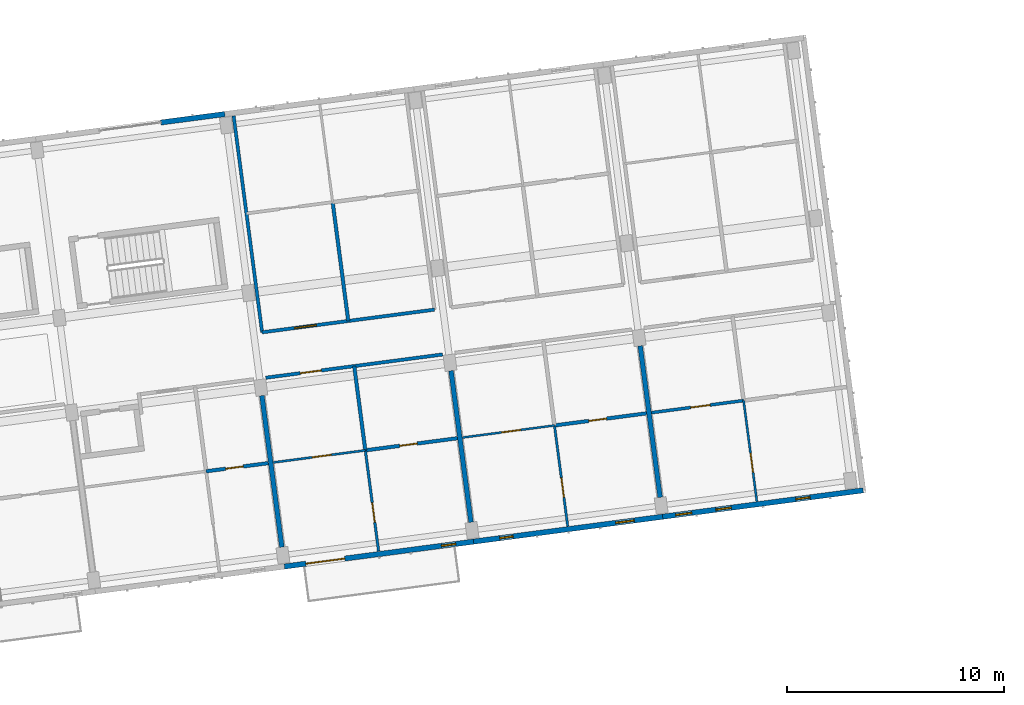
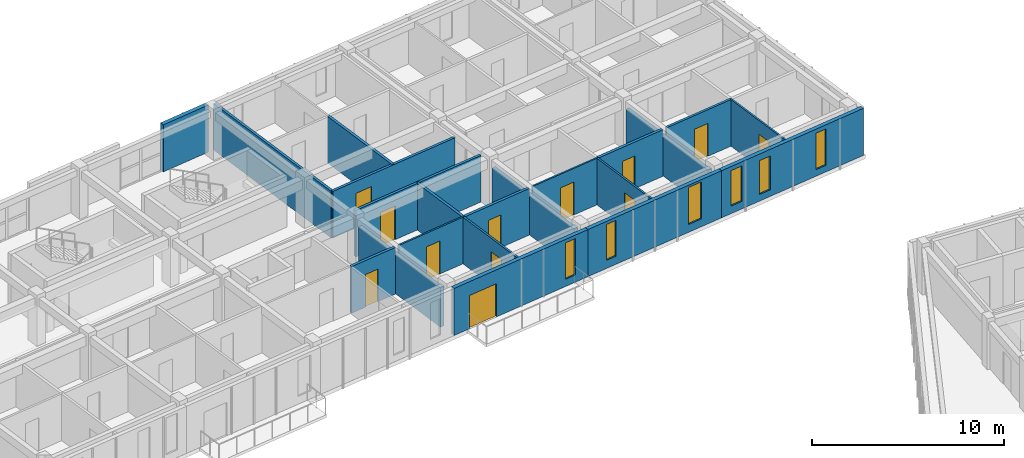
# One storey, part 23 of 64: 21 walls, 12 doors, 6 windows, 18 openings.
"""IFC4 building model written with IfcOpenShell, lengths in metres."""

from ifc_helpers import new_model, si_unit, direction, frame, frame_2d, origin, place, context, subcontext, project, spatial, rectangle, extrude, material, layer, layer_set, type_object, element, fill, save


model = new_model("IFC4")

# Units and contexts
model_context = context("Model", 3, precision=1e-05, world=origin(), true_north=direction((0.0, 1.0)))
body_context = subcontext(model_context, "Body", "Model", "MODEL_VIEW")
ifc_project = project(units=[si_unit("LENGTHUNIT", "METRE"), si_unit("AREAUNIT", "SQUARE_METRE"), si_unit("VOLUMEUNIT", "CUBIC_METRE"), si_unit("PLANEANGLEUNIT", "RADIAN"), si_unit("MASSUNIT", "GRAM", prefix="KILO")], contexts=[model_context])

# Site, building, storey
site_placement = place(None, origin())
site = spatial("IfcSite", under=ifc_project, at=site_placement, CompositionType="ELEMENT")
building_placement = place(site_placement, origin())
building = spatial("IfcBuilding", under=site, at=building_placement, Name="Kestramere Prow Commons", CompositionType="ELEMENT")
storey_placement = place(building_placement, frame((0.0, 0.0, 24.64990234375)))
storey = spatial("IfcBuildingStorey", under=building, at=storey_placement, Name="L07", CompositionType="ELEMENT", Elevation=24.64990234375)

# Wall, openings, door, window
ifc_material_1 = material(Name="Fluoropolymer Standing-Seam Zinc-Aluminium Cladding", Category="aluminium")
ifc_layer_1 = layer(ifc_material_1, 0.239990234375)
ifc_layer_set_1 = layer_set([ifc_layer_1], Name="Fluoropolymer Standing-Seam Zinc-Aluminium Cladding")
wall_type_1 = type_object("IfcWallType", Name="EW-SEAM-240", PredefinedType="SOLIDWALL", material=ifc_layer_set_1)
wall_1_placement = place(storey_placement, frame((46.16748046875, 76.073974609375, 0.0), z_axis=(0.0, 0.0, 1.0), x_axis=(-0.991444377792, -0.130529865336, 0.0)))
wall_1 = element("IfcWall", 1, at=wall_1_placement, inside=storey, type_object=wall_type_1, Name="Block A L07 South Standing-Seam Wall 4", PredefinedType="SOLIDWALL", context=body_context, shape_type="SweptSolid", body=[
    extrude(rectangle(XDim=8.800048828125, YDim=0.239990234375, at=frame_2d((4.39990234375, 0.0))), origin(), (0.0, 0.0, 1.0), 3.0),
])
opening_1_placement = place(wall_1_placement, frame((5.9970703125, 0.0, 0.0)))
opening_1 = element("IfcOpeningElement", 2, at=opening_1_placement, cuts=wall_1, Name="Opening GD-BAL-02", PredefinedType="OPENING", context=body_context, shape_type="SweptSolid", body=[
    extrude(rectangle(XDim=1.800048828125, YDim=2.1201171875, at=frame_2d((0.89990234375, 1.06005859375))), frame((0.0, 0.135009765625, 0.0), z_axis=(0.0, -1.0, 0.0), x_axis=(1.0, 0.0, 0.0)), (0.0, 0.0, 1.0), 0.27001953125),
])
opening_2_placement = place(wall_1_placement, frame((0.830078125, 0.0, 0.4599609375)))
opening_2 = element("IfcOpeningElement", 3, at=opening_2_placement, cuts=wall_1, Name="Opening WN-05", PredefinedType="OPENING", context=body_context, shape_type="SweptSolid", body=[
    extrude(rectangle(XDim=0.659912109375, YDim=2.320068359375, at=frame_2d((0.330078125, 1.16015625))), frame((0.0, 0.135009765625, 0.0), z_axis=(0.0, -1.0, 0.0), x_axis=(1.0, 0.0, 0.0)), (0.0, 0.0, 1.0), 0.27001953125),
])
ifc_material_2 = material(Name="Thermally-Broken Anodised Aluminium Glazed", Category="aluminium")
door_type_1 = type_object("IfcDoorType", Name="GD-BAL-1800", OperationType="SLIDING_TO_LEFT", PredefinedType="DOOR", material=ifc_material_2)
door_1_placement = place(opening_1_placement, origin())
door_1 = element("IfcDoor", 4, at=door_1_placement, inside=storey, type_object=door_type_1, Name="Block A L07 Balcony Door 4", OperationType="SLIDING_TO_LEFT", OverallHeight=2.1201171875, OverallWidth=1.800048828125, PredefinedType="DOOR", context=body_context, shape_type="SweptSolid", body=[
    extrude(rectangle(XDim=1.800048828125, YDim=2.1201171875, at=frame_2d((0.89990234375, 1.06005859375))), frame((0.0, 0.02490234375, 0.0), z_axis=(0.0, -1.0, 0.0), x_axis=(1.0, 0.0, 0.0)), (0.0, 0.0, 1.0), 0.050048828125),
])
fill(opening_1, door_1)
ifc_material_3 = material(Name="Low-E Laminated Double Glazing", Category="glass")
window_type_1 = type_object("IfcWindowType", Name="WN-NAR-660A", PartitioningType="SINGLE_PANEL", PredefinedType="WINDOW", material=ifc_material_3)
window_1_placement = place(opening_2_placement, origin())
window_1 = element("IfcWindow", 5, at=window_1_placement, inside=storey, type_object=window_type_1, Name="WN-A-L07-SR-3", OverallHeight=2.320068359375, OverallWidth=0.659912109375, PartitioningType="SINGLE_PANEL", PredefinedType="WINDOW", context=body_context, shape_type="SweptSolid", body=[
    extrude(rectangle(XDim=0.659912109375, YDim=2.320068359375, at=frame_2d((0.330078125, 1.16015625))), frame((0.0, 0.030029296875, 0.0), z_axis=(0.0, -1.0, 0.0), x_axis=(1.0, 0.0, 0.0)), (0.0, 0.0, 1.0), 0.06005859375),
])
fill(opening_2, window_1)

# Wall, openings, windows
wall_2_placement = place(storey_placement, frame((54.89208984375, 77.22265625, 0.0), z_axis=(0.0, 0.0, 1.0), x_axis=(-0.991443905089, -0.130533455715, 0.0)))
wall_2 = element("IfcWall", 6, at=wall_2_placement, inside=storey, type_object=wall_type_1, Name="Block A L07 South Standing-Seam Wall 5", PredefinedType="SOLIDWALL", context=body_context, shape_type="SweptSolid", body=[
    extrude(rectangle(XDim=8.7998046875, YDim=0.239990234375, at=frame_2d((4.39990234375, 0.0))), origin(), (0.0, 0.0, 1.0), 3.0),
])
opening_3_placement = place(wall_2_placement, frame((1.3251953125, 0.0, 0.5)))
opening_3 = element("IfcOpeningElement", 7, at=opening_3_placement, cuts=wall_2, Name="Opening WN-15", PredefinedType="OPENING", context=body_context, shape_type="SweptSolid", body=[
    extrude(rectangle(XDim=0.860107421875, YDim=2.360107421875, at=frame_2d((0.43017578125, 1.18017578125))), frame((0.0, 0.135009765625, 0.0), z_axis=(0.0, -1.0, 0.0), x_axis=(1.0, 0.0, 0.0)), (0.0, 0.0, 1.0), 0.27001953125),
])
opening_4_placement = place(wall_2_placement, frame((6.96240234375, 0.0, 0.52001953125)))
opening_4 = element("IfcOpeningElement", 8, at=opening_4_placement, cuts=wall_2, Name="Opening WN-03", PredefinedType="OPENING", context=body_context, shape_type="SweptSolid", body=[
    extrude(rectangle(XDim=0.6201171875, YDim=2.280029296875, at=frame_2d((0.31005859375, 1.14013671875))), frame((0.0, 0.135009765625, 0.0), z_axis=(0.0, -1.0, 0.0), x_axis=(1.0, 0.0, 0.0)), (0.0, 0.0, 1.0), 0.27001953125),
])
window_type_2 = type_object("IfcWindowType", Name="WN-NAR-620A", PartitioningType="SINGLE_PANEL", PredefinedType="WINDOW", material=ifc_material_3)
window_2_placement = place(opening_4_placement, origin())
window_2 = element("IfcWindow", 9, at=window_2_placement, inside=storey, type_object=window_type_2, Name="WN-A-L07-S-4-10", OverallHeight=2.280029296875, OverallWidth=0.6201171875, PartitioningType="SINGLE_PANEL", PredefinedType="WINDOW", context=body_context, shape_type="SweptSolid", body=[
    extrude(rectangle(XDim=0.6201171875, YDim=2.280029296875, at=frame_2d((0.31005859375, 1.14013671875))), frame((0.0, 0.030029296875, 0.0), z_axis=(0.0, -1.0, 0.0), x_axis=(1.0, 0.0, 0.0)), (0.0, 0.0, 1.0), 0.06005859375),
])
fill(opening_4, window_2)
window_type_3 = type_object("IfcWindowType", Name="WN-NAR-860A", PartitioningType="DOUBLE_PANEL_VERTICAL", PredefinedType="WINDOW", material=ifc_material_3)
window_3_placement = place(opening_3_placement, origin())
window_3 = element("IfcWindow", 10, at=window_3_placement, inside=storey, type_object=window_type_3, Name="WN-A-L07-S-4-00", OverallHeight=2.360107421875, OverallWidth=0.860107421875, PartitioningType="SINGLE_PANEL", PredefinedType="WINDOW", context=body_context, shape_type="SweptSolid", body=[
    extrude(rectangle(XDim=0.860107421875, YDim=2.360107421875, at=frame_2d((0.43017578125, 1.18017578125))), frame((0.0, 0.030029296875, 0.0), z_axis=(0.0, -1.0, 0.0), x_axis=(1.0, 0.0, 0.0)), (0.0, 0.0, 1.0), 0.06005859375),
])
fill(opening_3, window_3)

wall_3_placement = place(storey_placement, frame((64.13720703125, 78.439697265625, 0.0), z_axis=(0.0, 0.0, 1.0), x_axis=(-0.991446273426, -0.130515466173, 0.0)))
wall_3 = element("IfcWall", 11, at=wall_3_placement, inside=storey, type_object=wall_type_1, Name="Block A L07 South Standing-Seam Wall 6", PredefinedType="SOLIDWALL", context=body_context, shape_type="SweptSolid", body=[
    extrude(rectangle(XDim=9.324951171875, YDim=0.239990234375, at=frame_2d((4.66259765625, 0.0))), origin(), (0.0, 0.0, 1.0), 3.0),
])
opening_5_placement = place(wall_3_placement, frame((2.46630859375, 0.0, 0.419921875)))
opening_5 = element("IfcOpeningElement", 12, at=opening_5_placement, cuts=wall_3, Name="Opening WN-05", PredefinedType="OPENING", context=body_context, shape_type="SweptSolid", body=[
    extrude(rectangle(XDim=0.659912109375, YDim=2.320068359375, at=frame_2d((0.330078125, 1.16015625))), frame((0.0, 0.135009765625, 0.0), z_axis=(0.0, -1.0, 0.0), x_axis=(1.0, 0.0, 0.0)), (0.0, 0.0, 1.0), 0.27001953125),
])
opening_6_placement = place(wall_3_placement, frame((6.12890625, 0.0, 0.419921875)))
opening_6 = element("IfcOpeningElement", 13, at=opening_6_placement, cuts=wall_3, Name="Opening WN-08", PredefinedType="OPENING", context=body_context, shape_type="SweptSolid", body=[
    extrude(rectangle(XDim=0.719970703125, YDim=2.159912109375, at=frame_2d((0.35986328125, 1.080078125))), frame((0.0, 0.135009765625, 0.0), z_axis=(0.0, -1.0, 0.0), x_axis=(1.0, 0.0, 0.0)), (0.0, 0.0, 1.0), 0.27001953125),
])
opening_7_placement = place(wall_3_placement, frame((7.97509765625, 0.0, 0.47998046875)))
opening_7 = element("IfcOpeningElement", 14, at=opening_7_placement, cuts=wall_3, Name="Opening WN-09", PredefinedType="OPENING", context=body_context, shape_type="SweptSolid", body=[
    extrude(rectangle(XDim=0.739990234375, YDim=2.260009765625, at=frame_2d((0.3701171875, 1.1298828125))), frame((0.0, 0.135009765625, 0.0), z_axis=(0.0, -1.0, 0.0), x_axis=(1.0, 0.0, 0.0)), (0.0, 0.0, 1.0), 0.27001953125),
])
window_4_placement = place(opening_5_placement, origin())
window_4 = element("IfcWindow", 15, at=window_4_placement, inside=storey, type_object=window_type_1, Name="WN-A-L07-S-5-00", OverallHeight=2.320068359375, OverallWidth=0.659912109375, PartitioningType="SINGLE_PANEL", PredefinedType="WINDOW", context=body_context, shape_type="SweptSolid", body=[
    extrude(rectangle(XDim=0.659912109375, YDim=2.320068359375, at=frame_2d((0.330078125, 1.16015625))), frame((0.0, 0.030029296875, 0.0), z_axis=(0.0, -1.0, 0.0), x_axis=(1.0, 0.0, 0.0)), (0.0, 0.0, 1.0), 0.06005859375),
])
fill(opening_5, window_4)
window_type_4 = type_object("IfcWindowType", Name="WN-NAR-720A", PartitioningType="SINGLE_PANEL", PredefinedType="WINDOW", material=ifc_material_3)
window_5_placement = place(opening_6_placement, origin())
window_5 = element("IfcWindow", 16, at=window_5_placement, inside=storey, type_object=window_type_4, Name="WN-A-L07-S-5-10", OverallHeight=2.159912109375, OverallWidth=0.719970703125, PartitioningType="SINGLE_PANEL", PredefinedType="WINDOW", context=body_context, shape_type="SweptSolid", body=[
    extrude(rectangle(XDim=0.719970703125, YDim=2.159912109375, at=frame_2d((0.35986328125, 1.080078125))), frame((0.0, 0.030029296875, 0.0), z_axis=(0.0, -1.0, 0.0), x_axis=(1.0, 0.0, 0.0)), (0.0, 0.0, 1.0), 0.06005859375),
])
fill(opening_6, window_5)
window_type_5 = type_object("IfcWindowType", Name="WN-NAR-740A", PartitioningType="SINGLE_PANEL", PredefinedType="WINDOW", material=ifc_material_3)
window_6_placement = place(opening_7_placement, origin())
window_6 = element("IfcWindow", 17, at=window_6_placement, inside=storey, type_object=window_type_5, Name="WN-A-L07-S-5-11", OverallHeight=2.260009765625, OverallWidth=0.739990234375, PartitioningType="SINGLE_PANEL", PredefinedType="WINDOW", context=body_context, shape_type="SweptSolid", body=[
    extrude(rectangle(XDim=0.739990234375, YDim=2.260009765625, at=frame_2d((0.3701171875, 1.1298828125))), frame((0.0, 0.030029296875, 0.0), z_axis=(0.0, -1.0, 0.0), x_axis=(1.0, 0.0, 0.0)), (0.0, 0.0, 1.0), 0.06005859375),
])
fill(opening_7, window_6)

# Wall
wall_4_placement = place(storey_placement, frame((31.74560546875, 95.406982421875, 0.0), z_axis=(0.0, 0.0, 1.0), x_axis=(0.991439484875, 0.130567024289, 0.0)))
element("IfcWall", 18, at=wall_4_placement, inside=storey, type_object=wall_type_1, Name="Block A L07 North Standing-Seam Pier 3R", PredefinedType="SOLIDWALL", context=body_context, shape_type="SweptSolid", body=[
    extrude(rectangle(XDim=2.974853515625, YDim=0.239990234375, at=frame_2d((1.4873046875, 0.0))), origin(), (0.0, 0.0, 1.0), 3.0),
])

# Wall, opening, door
ifc_material_4 = material(Name="Fire-Rated Calcium Silicate Wall")
ifc_layer_2 = layer(ifc_material_4, 0.155029296875)
ifc_layer_set_2 = layer_set([ifc_layer_2], Name="Fire-Rated Calcium Silicate Wall")
wall_type_2 = type_object("IfcWallType", Name="W-FIRE-150", PredefinedType="PARTITIONING", material=ifc_layer_set_2)
wall_5_placement = place(storey_placement, frame((36.583740234375, 83.6328125, 0.0), z_axis=(0.0, 0.0, 1.0), x_axis=(0.991445206002, 0.130523574484, 0.0)))
wall_5 = element("IfcWall", 19, at=wall_5_placement, inside=storey, type_object=wall_type_2, Name="Interior Partition PW-A-L07-CS-3", PredefinedType="PARTITIONING", context=body_context, shape_type="SweptSolid", body=[
    extrude(rectangle(XDim=8.22998046875, YDim=0.155029296875, at=frame_2d((4.114990234375, 0.0))), origin(), (0.0, 0.0, 1.0), 2.97021484375),
])
opening_8_placement = place(wall_5_placement, frame((1.60498046875, 0.0, 0.0)))
opening_8 = element("IfcOpeningElement", 20, at=opening_8_placement, cuts=wall_5, Name="Opening ID-04", PredefinedType="OPENING", context=body_context, shape_type="SweptSolid", body=[
    extrude(rectangle(XDim=0.97998046875, YDim=2.14990234375, at=frame_2d((0.489990234375, 1.074951171875))), frame((0.0, 0.092529296875, 0.0), z_axis=(0.0, -1.0, 0.0), x_axis=(1.0, 0.0, 0.0)), (0.0, 0.0, 1.0), 0.18505859375),
])
ifc_material_5 = material(Name="Hardwood Fire-Rated Flat Entrance Door", Category="wood")
door_type_2 = type_object("IfcDoorType", Name="FD-ENT-01", OperationType="NOTDEFINED", PredefinedType="DOOR", material=ifc_material_5)
door_2_placement = place(opening_8_placement, origin())
door_2 = element("IfcDoor", 21, at=door_2_placement, inside=storey, type_object=door_type_2, Name="Interior Door DR-A-L07-ENT-S3", OperationType="SINGLE_SWING_LEFT", OverallHeight=2.14990234375, OverallWidth=0.97998046875, PredefinedType="DOOR", context=body_context, shape_type="SweptSolid", body=[
    extrude(rectangle(XDim=0.97998046875, YDim=2.14990234375, at=frame_2d((0.489990234375, 1.074951171875))), frame((0.0, 0.02490234375, 0.0), z_axis=(0.0, -1.0, 0.0), x_axis=(1.0, 0.0, 0.0)), (0.0, 0.0, 1.0), 0.050048828125),
])
fill(opening_8, door_2)

wall_6_placement = place(storey_placement, frame((36.413818359375, 85.728515625, 0.0), z_axis=(0.0, 0.0, 1.0), x_axis=(0.991444034844, 0.130532470184, 0.0)))
wall_6 = element("IfcWall", 22, at=wall_6_placement, inside=storey, type_object=wall_type_2, Name="Interior Partition PW-A-L07-CN-3", PredefinedType="PARTITIONING", context=body_context, shape_type="SweptSolid", body=[
    extrude(rectangle(XDim=8.02001953125, YDim=0.155029296875, at=frame_2d((4.010009765625, 0.0))), origin(), (0.0, 0.0, 1.0), 2.97021484375),
])
opening_9_placement = place(wall_6_placement, frame((1.5048828125, 0.0, 0.0)))
opening_9 = element("IfcOpeningElement", 23, at=opening_9_placement, cuts=wall_6, Name="Opening ID-05", PredefinedType="OPENING", context=body_context, shape_type="SweptSolid", body=[
    extrude(rectangle(XDim=1.02001953125, YDim=2.199951171875, at=frame_2d((0.510009765625, 1.10009765625))), frame((0.0, 0.092529296875, 0.0), z_axis=(0.0, -1.0, 0.0), x_axis=(1.0, 0.0, 0.0)), (0.0, 0.0, 1.0), 0.18505859375),
])
door_type_3 = type_object("IfcDoorType", Name="FD-ENT-02", OperationType="NOTDEFINED", PredefinedType="DOOR", material=ifc_material_5)
door_3_placement = place(opening_9_placement, origin())
door_3 = element("IfcDoor", 24, at=door_3_placement, inside=storey, type_object=door_type_3, Name="Interior Door DR-A-L07-ENT-N3", OperationType="SINGLE_SWING_RIGHT", OverallHeight=2.199951171875, OverallWidth=1.02001953125, PredefinedType="DOOR", context=body_context, shape_type="SweptSolid", body=[
    extrude(rectangle(XDim=1.02001953125, YDim=2.199951171875, at=frame_2d((0.510009765625, 1.10009765625))), frame((0.0, 0.02490234375, 0.0), z_axis=(0.0, -1.0, 0.0), x_axis=(1.0, 0.0, 0.0)), (0.0, 0.0, 1.0), 0.050048828125),
])
fill(opening_9, door_3)

ifc_material_6 = material(Name="Gypsum Acoustic Drywall")
ifc_layer_3 = layer(ifc_material_6, 0.10009765625)
ifc_layer_set_3 = layer_set([ifc_layer_3], Name="Gypsum Acoustic Drywall")
wall_type_3 = type_object("IfcWallType", Name="W-PART-100", PredefinedType="PARTITIONING", material=ifc_layer_set_3)
wall_7_placement = place(storey_placement, frame((36.927001953125, 79.72412109375, 0.0), z_axis=(0.0, 0.0, 1.0), x_axis=(0.991444014242, 0.130532626667, 0.0)))
wall_7 = element("IfcWall", 25, at=wall_7_placement, inside=storey, type_object=wall_type_3, Name="Interior Partition PW-A-L07-MIDS1-3", PredefinedType="PARTITIONING", context=body_context, shape_type="SweptSolid", body=[
    extrude(rectangle(XDim=4.284912109375, YDim=0.10009765625, at=frame_2d((2.142578125, 0.0))), origin(), (0.0, 0.0, 1.0), 2.97021484375),
])
opening_10_placement = place(wall_7_placement, frame((1.824951171875, 0.0, 0.0)))
opening_10 = element("IfcOpeningElement", 26, at=opening_10_placement, cuts=wall_7, Name="Opening ID-10", PredefinedType="OPENING", context=body_context, shape_type="SweptSolid", body=[
    extrude(rectangle(XDim=0.8798828125, YDim=2.10009765625, at=frame_2d((0.43994140625, 1.050048828125))), frame((0.0, 0.06494140625, 0.0), z_axis=(0.0, -1.0, 0.0), x_axis=(1.0, 0.0, 0.0)), (0.0, 0.0, 1.0), 0.130126953125),
])
ifc_material_7 = material(Name="Engineered Timber Bedroom Door", Category="wood")
door_type_4 = type_object("IfcDoorType", Name="D-RM-03", OperationType="NOTDEFINED", PredefinedType="DOOR", material=ifc_material_7)
door_4_placement = place(opening_10_placement, origin())
door_4 = element("IfcDoor", 27, at=door_4_placement, inside=storey, type_object=door_type_4, Name="Interior Door DR-A-L07-KL-S3", OperationType="SINGLE_SWING_RIGHT", OverallHeight=2.10009765625, OverallWidth=0.8798828125, PredefinedType="DOOR", context=body_context, shape_type="SweptSolid", body=[
    extrude(rectangle(XDim=0.8798828125, YDim=2.10009765625, at=frame_2d((0.43994140625, 1.050048828125))), frame((0.0, 0.02490234375, 0.0), z_axis=(0.0, -1.0, 0.0), x_axis=(1.0, 0.0, 0.0)), (0.0, 0.0, 1.0), 0.050048828125),
])
fill(opening_10, door_4)

wall_8_placement = place(storey_placement, frame((59.23681640625, 77.930908203125, 0.0), z_axis=(0.0, 0.0, 1.0), x_axis=(-0.13050972446, 0.991447029256, 0.0)))
wall_8 = element("IfcWall", 28, at=wall_8_placement, inside=storey, type_object=wall_type_3, Name="Interior Partition PW-A-L07-LB-S5", PredefinedType="PARTITIONING", context=body_context, shape_type="SweptSolid", body=[
    extrude(rectangle(XDim=4.689697265625, YDim=0.10009765625, at=frame_2d((2.3447265625, 0.0))), origin(), (0.0, 0.0, 1.0), 2.97021484375),
])
opening_11_placement = place(wall_8_placement, frame((1.35009765625, 0.0, 0.0)))
opening_11 = element("IfcOpeningElement", 29, at=opening_11_placement, cuts=wall_8, Name="Opening ID-10", PredefinedType="OPENING", context=body_context, shape_type="SweptSolid", body=[
    extrude(rectangle(XDim=0.8798828125, YDim=2.10009765625, at=frame_2d((0.43994140625, 1.050048828125))), frame((0.0, 0.06494140625, 0.0), z_axis=(0.0, -1.0, 0.0), x_axis=(1.0, 0.0, 0.0)), (0.0, 0.0, 1.0), 0.130126953125),
])
door_5_placement = place(opening_11_placement, origin())
door_5 = element("IfcDoor", 30, at=door_5_placement, inside=storey, type_object=door_type_4, Name="Interior Door DR-A-L07-BED-S5", OperationType="SINGLE_SWING_RIGHT", OverallHeight=2.10009765625, OverallWidth=0.8798828125, PredefinedType="DOOR", context=body_context, shape_type="SweptSolid", body=[
    extrude(rectangle(XDim=0.8798828125, YDim=2.10009765625, at=frame_2d((0.43994140625, 1.050048828125))), frame((0.0, 0.02490234375, 0.0), z_axis=(0.0, -1.0, 0.0), x_axis=(1.0, 0.0, 0.0)), (0.0, 0.0, 1.0), 0.050048828125),
])
fill(opening_11, door_5)

ifc_layer_4 = layer(ifc_material_6, 0.110107421875)
ifc_layer_set_4 = layer_set([ifc_layer_4], Name="Gypsum Acoustic Drywall")
wall_type_4 = type_object("IfcWallType", Name="W-PART-110", PredefinedType="PARTITIONING", material=ifc_layer_set_4)
wall_9_placement = place(storey_placement, frame((50.51220703125, 76.7822265625, 0.0), z_axis=(0.0, 0.0, 1.0), x_axis=(-0.130554157184, 0.991441179315, 0.0)))
wall_9 = element("IfcWall", 31, at=wall_9_placement, inside=storey, type_object=wall_type_4, Name="Interior Partition PW-A-L07-LB-S4", PredefinedType="PARTITIONING", context=body_context, shape_type="SweptSolid", body=[
    extrude(rectangle(XDim=4.68994140625, YDim=0.110107421875, at=frame_2d((2.344970703125, 0.0))), origin(), (0.0, 0.0, 1.0), 2.97021484375),
])
opening_12_placement = place(wall_9_placement, frame((1.35009765625, 0.0, 0.0)))
opening_12 = element("IfcOpeningElement", 32, at=opening_12_placement, cuts=wall_9, Name="Opening ID-08", PredefinedType="OPENING", context=body_context, shape_type="SweptSolid", body=[
    extrude(rectangle(XDim=0.89990234375, YDim=2.10009765625, at=frame_2d((0.449951171875, 1.050048828125))), frame((0.0, 0.070068359375, 0.0), z_axis=(0.0, -1.0, 0.0), x_axis=(1.0, 0.0, 0.0)), (0.0, 0.0, 1.0), 0.14013671875),
])
ifc_material_8 = material(Name="Engineered Timber Flush Door", Category="wood")
door_type_5 = type_object("IfcDoorType", Name="D-RM-01", OperationType="NOTDEFINED", PredefinedType="DOOR", material=ifc_material_8)
door_6_placement = place(opening_12_placement, origin())
door_6 = element("IfcDoor", 33, at=door_6_placement, inside=storey, type_object=door_type_5, Name="Interior Door DR-A-L07-BED-S4", OperationType="SINGLE_SWING_LEFT", OverallHeight=2.10009765625, OverallWidth=0.89990234375, PredefinedType="DOOR", context=body_context, shape_type="SweptSolid", body=[
    extrude(rectangle(XDim=0.89990234375, YDim=2.10009765625, at=frame_2d((0.449951171875, 1.050048828125))), frame((0.0, 0.02490234375, 0.0), z_axis=(0.0, -1.0, 0.0), x_axis=(1.0, 0.0, 0.0)), (0.0, 0.0, 1.0), 0.050048828125),
])
fill(opening_12, door_6)

ifc_material_9 = material(Name="Lightweight Blockwork and Plaster", Category="masonry")
ifc_layer_5 = layer(ifc_material_9, 0.1201171875)
ifc_layer_set_5 = layer_set([ifc_layer_5], Name="Lightweight Blockwork and Plaster")
wall_type_5 = type_object("IfcWallType", Name="W-PART-120", PredefinedType="PARTITIONING", material=ifc_layer_set_5)
wall_10_placement = place(storey_placement, frame((41.787353515625, 75.633544921875, 0.0), z_axis=(0.0, 0.0, 1.0), x_axis=(-0.130502988823, 0.991447915883, 0.0)))
wall_10 = element("IfcWall", 34, at=wall_10_placement, inside=storey, type_object=wall_type_5, Name="Interior Partition PW-A-L07-LB-S3", PredefinedType="PARTITIONING", context=body_context, shape_type="SweptSolid", body=[
    extrude(rectangle(XDim=4.68994140625, YDim=0.1201171875, at=frame_2d((2.344970703125, 0.0))), origin(), (0.0, 0.0, 1.0), 2.97021484375),
])
opening_13_placement = place(wall_10_placement, frame((1.35009765625, 0.0, 0.0)))
opening_13 = element("IfcOpeningElement", 35, at=opening_13_placement, cuts=wall_10, Name="Opening ID-08", PredefinedType="OPENING", context=body_context, shape_type="SweptSolid", body=[
    extrude(rectangle(XDim=0.89990234375, YDim=2.10009765625, at=frame_2d((0.449951171875, 1.050048828125))), frame((0.0, 0.074951171875, 0.0), z_axis=(0.0, -1.0, 0.0), x_axis=(1.0, 0.0, 0.0)), (0.0, 0.0, 1.0), 0.150146484375),
])
door_7_placement = place(opening_13_placement, origin())
door_7 = element("IfcDoor", 36, at=door_7_placement, inside=storey, type_object=door_type_5, Name="Interior Door DR-A-L07-BED-S3", OperationType="SINGLE_SWING_RIGHT", OverallHeight=2.10009765625, OverallWidth=0.89990234375, PredefinedType="DOOR", context=body_context, shape_type="SweptSolid", body=[
    extrude(rectangle(XDim=0.89990234375, YDim=2.10009765625, at=frame_2d((0.449951171875, 1.050048828125))), frame((0.0, 0.02490234375, 0.0), z_axis=(0.0, -1.0, 0.0), x_axis=(1.0, 0.0, 0.0)), (0.0, 0.0, 1.0), 0.050048828125),
])
fill(opening_13, door_7)

ifc_material_10 = material(Name="Masonry Compartment Wall", Category="masonry")
ifc_layer_6 = layer(ifc_material_10, 0.139892578125)
ifc_layer_set_6 = layer_set([ifc_layer_6], Name="Masonry Compartment Wall")
wall_type_6 = type_object("IfcWallType", Name="W-PART-140", PredefinedType="PARTITIONING", material=ifc_layer_set_6)
wall_11_placement = place(storey_placement, frame((54.376220703125, 82.021484375, 0.0), z_axis=(0.0, 0.0, 1.0), x_axis=(0.991452356241, 0.130469250419, 0.0)))
wall_11 = element("IfcWall", 37, at=wall_11_placement, inside=storey, type_object=wall_type_6, Name="Interior Partition PW-A-L07-MIDS1-5", PredefinedType="PARTITIONING", context=body_context, shape_type="SweptSolid", body=[
    extrude(rectangle(XDim=4.28515625, YDim=0.139892578125, at=frame_2d((2.142578125, 0.0))), origin(), (0.0, 0.0, 1.0), 2.97021484375),
])
opening_14_placement = place(wall_11_placement, frame((1.824951171875, 0.0, 0.0)))
opening_14 = element("IfcOpeningElement", 38, at=opening_14_placement, cuts=wall_11, Name="Opening ID-08", PredefinedType="OPENING", context=body_context, shape_type="SweptSolid", body=[
    extrude(rectangle(XDim=0.89990234375, YDim=2.10009765625, at=frame_2d((0.449951171875, 1.050048828125))), frame((0.0, 0.0849609375, 0.0), z_axis=(0.0, -1.0, 0.0), x_axis=(1.0, 0.0, 0.0)), (0.0, 0.0, 1.0), 0.169921875),
])
door_8_placement = place(opening_14_placement, origin())
door_8 = element("IfcDoor", 39, at=door_8_placement, inside=storey, type_object=door_type_5, Name="Interior Door DR-A-L07-KL-S5", OperationType="SINGLE_SWING_RIGHT", OverallHeight=2.10009765625, OverallWidth=0.89990234375, PredefinedType="DOOR", context=body_context, shape_type="SweptSolid", body=[
    extrude(rectangle(XDim=0.89990234375, YDim=2.10009765625, at=frame_2d((0.449951171875, 1.050048828125))), frame((0.0, 0.02490234375, 0.0), z_axis=(0.0, -1.0, 0.0), x_axis=(1.0, 0.0, 0.0)), (0.0, 0.0, 1.0), 0.050048828125),
])
fill(opening_14, door_8)

# Wall
ifc_layer_7 = layer(ifc_material_10, 0.14990234375)
ifc_layer_set_7 = layer_set([ifc_layer_7], Name="Masonry Compartment Wall")
wall_type_7 = type_object("IfcWallType", Name="W-PART-150", PredefinedType="PARTITIONING", material=ifc_layer_set_7)
wall_12_placement = place(storey_placement, frame((36.413818359375, 85.728515625, 0.0), z_axis=(0.0, 0.0, 1.0), x_axis=(-0.130531024319, 0.991444225204, 0.0)))
element("IfcWall", 40, at=wall_12_placement, inside=storey, type_object=wall_type_7, Name="Interior Partition PW-A-L07-NWL-3", PredefinedType="PARTITIONING", context=body_context, shape_type="SweptSolid", body=[
    extrude(rectangle(XDim=10.070068359375, YDim=0.14990234375, at=frame_2d((5.03515625, 0.0))), origin(), (0.0, 0.0, 1.0), 2.97021484375),
])

# Wall, opening, door
ifc_layer_8 = layer(ifc_material_6, 0.094970703125)
ifc_layer_set_8 = layer_set([ifc_layer_8], Name="Gypsum Acoustic Drywall")
wall_type_8 = type_object("IfcWallType", Name="W-PART-95", PredefinedType="PARTITIONING", material=ifc_layer_set_8)
wall_13_placement = place(storey_placement, frame((45.651611328125, 80.872802734375, 0.0), z_axis=(0.0, 0.0, 1.0), x_axis=(0.991444014242, 0.130532626667, 0.0)))
wall_13 = element("IfcWall", 41, at=wall_13_placement, inside=storey, type_object=wall_type_8, Name="Interior Partition PW-A-L07-MIDS1-4", PredefinedType="PARTITIONING", context=body_context, shape_type="SweptSolid", body=[
    extrude(rectangle(XDim=4.284912109375, YDim=0.094970703125, at=frame_2d((2.142578125, 0.0))), origin(), (0.0, 0.0, 1.0), 2.97021484375),
])
opening_15_placement = place(wall_13_placement, frame((1.824951171875, 0.0, 0.0)))
opening_15 = element("IfcOpeningElement", 42, at=opening_15_placement, cuts=wall_13, Name="Opening ID-08", PredefinedType="OPENING", context=body_context, shape_type="SweptSolid", body=[
    extrude(rectangle(XDim=0.89990234375, YDim=2.10009765625, at=frame_2d((0.449951171875, 1.050048828125))), frame((0.0, 0.0625, 0.0), z_axis=(0.0, -1.0, 0.0), x_axis=(1.0, 0.0, 0.0)), (0.0, 0.0, 1.0), 0.125),
])
door_9_placement = place(opening_15_placement, origin())
door_9 = element("IfcDoor", 43, at=door_9_placement, inside=storey, type_object=door_type_5, Name="Interior Door DR-A-L07-KL-S4", OperationType="SINGLE_SWING_RIGHT", OverallHeight=2.10009765625, OverallWidth=0.89990234375, PredefinedType="DOOR", context=body_context, shape_type="SweptSolid", body=[
    extrude(rectangle(XDim=0.89990234375, YDim=2.10009765625, at=frame_2d((0.449951171875, 1.050048828125))), frame((0.0, 0.02490234375, 0.0), z_axis=(0.0, -1.0, 0.0), x_axis=(1.0, 0.0, 0.0)), (0.0, 0.0, 1.0), 0.050048828125),
])
fill(opening_15, door_9)

ifc_material_11 = material(Name="Waterproof Sanitary Masonry Wall", Category="masonry")
ifc_layer_9 = layer(ifc_material_11, 0.1650390625)
ifc_layer_set_9 = layer_set([ifc_layer_9], Name="Waterproof Sanitary Masonry Wall")
wall_type_9 = type_object("IfcWallType", Name="W-PLUMB-150", PredefinedType="PLUMBINGWALL", material=ifc_layer_set_9)
wall_14_placement = place(storey_placement, frame((33.83349609375, 79.31689453125, 0.0), z_axis=(0.0, 0.0, 1.0), x_axis=(0.99144710616, 0.130509140242, 0.0)))
wall_14 = element("IfcWall", 44, at=wall_14_placement, inside=storey, type_object=wall_type_9, Name="Interior Partition PW-A-L07-MIDS2-2", PredefinedType="PLUMBINGWALL", context=body_context, shape_type="SweptSolid", body=[
    extrude(rectangle(XDim=2.89013671875, YDim=0.1650390625, at=frame_2d((1.445068359375, 0.0))), origin(), (0.0, 0.0, 1.0), 2.97021484375),
])
opening_16_placement = place(wall_14_placement, frame((0.903076171875, 0.0, 0.0)))
opening_16 = element("IfcOpeningElement", 45, at=opening_16_placement, cuts=wall_14, Name="Opening ID-11", PredefinedType="OPENING", context=body_context, shape_type="SweptSolid", body=[
    extrude(rectangle(XDim=0.820068359375, YDim=2.080078125, at=frame_2d((0.41015625, 1.0400390625))), frame((0.0, 0.097412109375, 0.0), z_axis=(0.0, -1.0, 0.0), x_axis=(1.0, 0.0, 0.0)), (0.0, 0.0, 1.0), 0.195068359375),
])
ifc_material_12 = material(Name="Moisture-Resistant Timber Bathroom Door", Category="wood")
door_type_6 = type_object("IfcDoorType", Name="D-BT-01", OperationType="NOTDEFINED", PredefinedType="DOOR", material=ifc_material_12)
door_10_placement = place(opening_16_placement, origin())
door_10 = element("IfcDoor", 46, at=door_10_placement, inside=storey, type_object=door_type_6, Name="Interior Door DR-A-L07-BTH-S2", OperationType="SINGLE_SWING_LEFT", OverallHeight=2.080078125, OverallWidth=0.820068359375, PredefinedType="DOOR", context=body_context, shape_type="SweptSolid", body=[
    extrude(rectangle(XDim=0.820068359375, YDim=2.080078125, at=frame_2d((0.41015625, 1.0400390625))), frame((0.0, 0.02490234375, 0.0), z_axis=(0.0, -1.0, 0.0), x_axis=(1.0, 0.0, 0.0)), (0.0, 0.0, 1.0), 0.050048828125),
])
fill(opening_16, door_10)

wall_15_placement = place(storey_placement, frame((41.17529296875, 80.283447265625, 0.0), z_axis=(0.0, 0.0, 1.0), x_axis=(0.991444014242, 0.130532626667, 0.0)))
wall_15 = element("IfcWall", 47, at=wall_15_placement, inside=storey, type_object=wall_type_9, Name="Interior Partition PW-A-L07-MIDS2-3", PredefinedType="PLUMBINGWALL", context=body_context, shape_type="SweptSolid", body=[
    extrude(rectangle(XDim=4.284912109375, YDim=0.1650390625, at=frame_2d((2.142578125, 0.0))), origin(), (0.0, 0.0, 1.0), 2.97021484375),
])
opening_17_placement = place(wall_15_placement, frame((1.60009765625, 0.0, 0.0)))
opening_17 = element("IfcOpeningElement", 48, at=opening_17_placement, cuts=wall_15, Name="Opening ID-11", PredefinedType="OPENING", context=body_context, shape_type="SweptSolid", body=[
    extrude(rectangle(XDim=0.820068359375, YDim=2.080078125, at=frame_2d((0.41015625, 1.0400390625))), frame((0.0, 0.097412109375, 0.0), z_axis=(0.0, -1.0, 0.0), x_axis=(1.0, 0.0, 0.0)), (0.0, 0.0, 1.0), 0.195068359375),
])
door_11_placement = place(opening_17_placement, origin())
door_11 = element("IfcDoor", 49, at=door_11_placement, inside=storey, type_object=door_type_6, Name="Interior Door DR-A-L07-BTH-S3", OperationType="SINGLE_SWING_LEFT", OverallHeight=2.080078125, OverallWidth=0.820068359375, PredefinedType="DOOR", context=body_context, shape_type="SweptSolid", body=[
    extrude(rectangle(XDim=0.820068359375, YDim=2.080078125, at=frame_2d((0.41015625, 1.0400390625))), frame((0.0, 0.02490234375, 0.0), z_axis=(0.0, -1.0, 0.0), x_axis=(1.0, 0.0, 0.0)), (0.0, 0.0, 1.0), 0.050048828125),
])
fill(opening_17, door_11)

# Wall
wall_16_placement = place(storey_placement, frame((41.17529296875, 80.283447265625, 0.0), z_axis=(0.0, 0.0, 1.0), x_axis=(-0.130539898676, 0.991443056788, 0.0)))
element("IfcWall", 50, at=wall_16_placement, inside=storey, type_object=wall_type_9, Name="Interior Partition PW-A-L07-KB-S3", PredefinedType="PLUMBINGWALL", context=body_context, shape_type="SweptSolid", body=[
    extrude(rectangle(XDim=3.919921875, YDim=0.1650390625, at=frame_2d((1.9599609375, 0.0))), origin(), (0.0, 0.0, 1.0), 2.97021484375),
])

# Wall, opening, door
wall_17_placement = place(storey_placement, frame((49.89990234375, 81.43212890625, 0.0), z_axis=(0.0, 0.0, 1.0), x_axis=(0.991444014242, 0.130532626667, 0.0)))
wall_17 = element("IfcWall", 51, at=wall_17_placement, inside=storey, type_object=wall_type_9, Name="Interior Partition PW-A-L07-MIDS2-4", PredefinedType="PLUMBINGWALL", context=body_context, shape_type="SweptSolid", body=[
    extrude(rectangle(XDim=4.284912109375, YDim=0.1650390625, at=frame_2d((2.142578125, 0.0))), origin(), (0.0, 0.0, 1.0), 2.97021484375),
])
opening_18_placement = place(wall_17_placement, frame((1.60009765625, 0.0, 0.0)))
opening_18 = element("IfcOpeningElement", 52, at=opening_18_placement, cuts=wall_17, Name="Opening ID-11", PredefinedType="OPENING", context=body_context, shape_type="SweptSolid", body=[
    extrude(rectangle(XDim=0.820068359375, YDim=2.080078125, at=frame_2d((0.41015625, 1.0400390625))), frame((0.0, 0.097412109375, 0.0), z_axis=(0.0, -1.0, 0.0), x_axis=(1.0, 0.0, 0.0)), (0.0, 0.0, 1.0), 0.195068359375),
])
door_12_placement = place(opening_18_placement, origin())
door_12 = element("IfcDoor", 53, at=door_12_placement, inside=storey, type_object=door_type_6, Name="Interior Door DR-A-L07-BTH-S4", OperationType="SINGLE_SWING_LEFT", OverallHeight=2.080078125, OverallWidth=0.820068359375, PredefinedType="DOOR", context=body_context, shape_type="SweptSolid", body=[
    extrude(rectangle(XDim=0.820068359375, YDim=2.080078125, at=frame_2d((0.41015625, 1.0400390625))), frame((0.0, 0.02490234375, 0.0), z_axis=(0.0, -1.0, 0.0), x_axis=(1.0, 0.0, 0.0)), (0.0, 0.0, 1.0), 0.050048828125),
])
fill(opening_18, door_12)

# Walls
wall_18_placement = place(storey_placement, frame((40.389404296875, 86.251953125, 0.0), z_axis=(0.0, 0.0, 1.0), x_axis=(-0.130503619975, 0.991447832805, 0.0)))
element("IfcWall", 54, at=wall_18_placement, inside=storey, type_object=wall_type_9, Name="Interior Partition PW-A-L07-KB-N3", PredefinedType="PLUMBINGWALL", context=body_context, shape_type="SweptSolid", body=[
    extrude(rectangle(XDim=5.530029296875, YDim=0.1650390625, at=frame_2d((2.76513671875, 0.0))), origin(), (0.0, 0.0, 1.0), 2.97021484375),
])
ifc_material_13 = material(Name="Precast concrete C40/50", Category="concrete")
ifc_layer_10 = layer(ifc_material_13, 0.219970703125)
ifc_layer_set_10 = layer_set([ifc_layer_10], Name="Precast concrete C40/50")
wall_type_10 = type_object("IfcWallType", Name="W-XWALL-220", PredefinedType="SHEAR", material=ifc_layer_set_10)
for number, where, z_axis, x_axis, name in (
    (55, (37.3251953125, 75.817626953125, 0.0), (0.0, 0.0, 1.0), (-0.130519009654, 0.99144580695, 0.0), "Block A L07 Precast Cross-Wall 3"),
    (56, (46.0498046875, 76.96630859375, 0.0), (0.0, 0.0, 1.0), (-0.130519009654, 0.99144580695, 0.0), "Block A L07 Precast Cross-Wall 4"),
    (57, (54.774658203125, 78.114990234375, 0.0), (0.0, 0.0, 1.0), (-0.130519009654, 0.99144580695, 0.0), "Block A L07 Precast Cross-Wall 5"),
):
    element("IfcWall", number, at=place(storey_placement, frame(where, z_axis=z_axis, x_axis=x_axis)), inside=storey, type_object=wall_type_10, Name=name, PredefinedType="SHEAR", context=body_context, shape_type="SweptSolid", body=[
        extrude(rectangle(XDim=7.050048828125, YDim=0.219970703125, at=frame_2d((3.52490234375, 0.0))), origin(), (0.0, 0.0, 1.0), 2.5),
    ])

save(model, "model.ifc")
